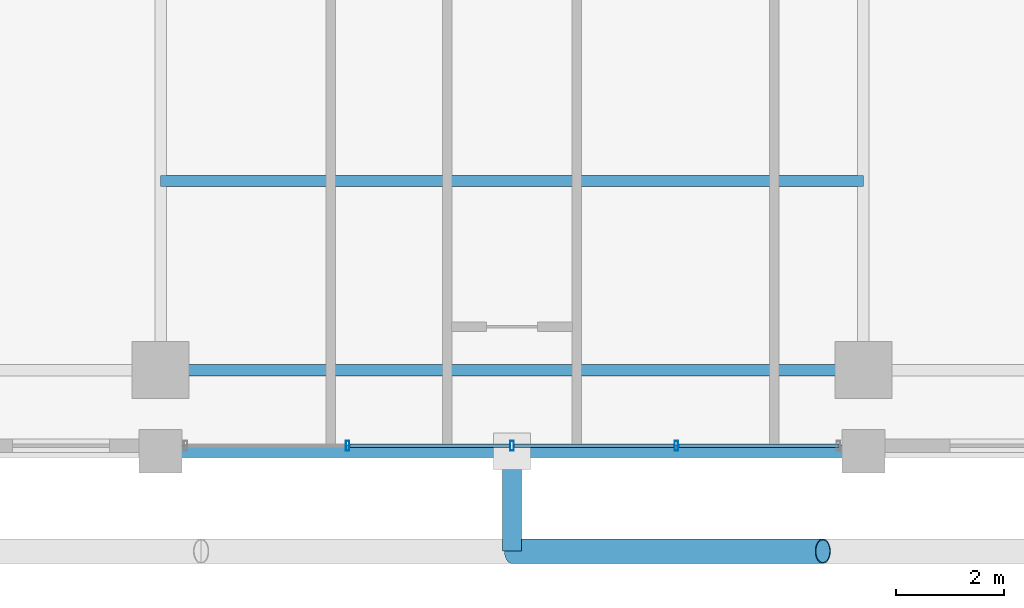
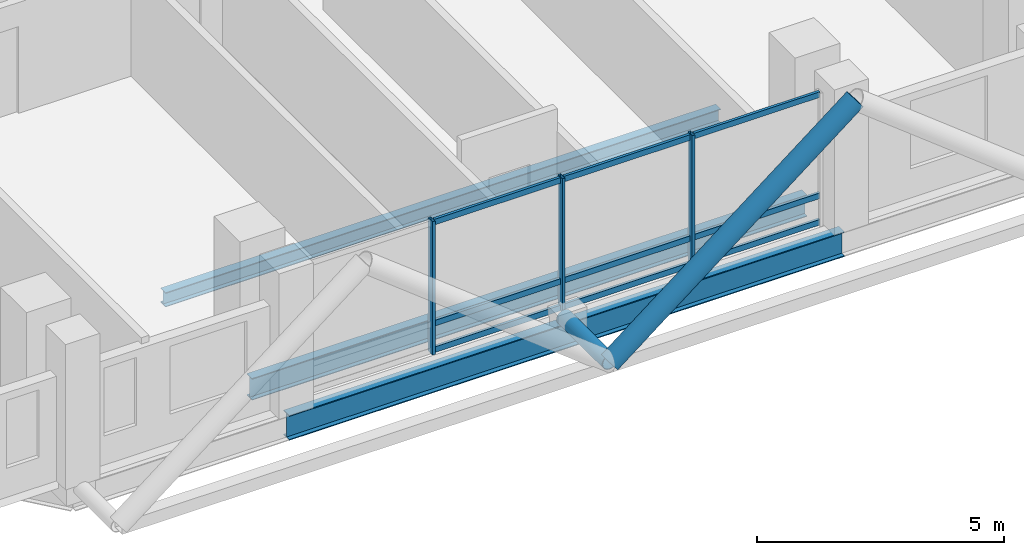
# One storey, part 4 of 25: 14 members, 3 beams, 1 element without a shape of its own.
"""IFC4 building model written with IfcOpenShell, lengths in metres."""

from ifc_helpers import new_model, si_unit, direction, frame, origin, origin_2d, place, context, subcontext, project, spatial, hollow_rectangle, hollow_circle, i_section, extrude, material, layer, layer_set, material_profile, profile_set, type_object, element, aggregate, save


model = new_model("IFC4")

# Units and contexts
model_context = context("Model", 3, precision=1e-05, world=origin(), true_north=direction((0.0, 1.0)))
body_context = subcontext(model_context, "Body", "Model", "MODEL_VIEW")
ifc_project = project(units=[si_unit("LENGTHUNIT", "METRE"), si_unit("AREAUNIT", "SQUARE_METRE"), si_unit("VOLUMEUNIT", "CUBIC_METRE"), si_unit("PLANEANGLEUNIT", "RADIAN"), si_unit("MASSUNIT", "GRAM", prefix="KILO")], contexts=[model_context])

# Site, building, storey
site_placement = place(None, origin())
site = spatial("IfcSite", under=ifc_project, at=site_placement, CompositionType="ELEMENT")
building_placement = place(site_placement, origin())
building = spatial("IfcBuilding", under=site, at=building_placement, Name="Barlavira Tower and Art Museum", CompositionType="ELEMENT")
storey_placement = place(building_placement, frame((0.0, 0.0, 208.800048828125)))
storey = spatial("IfcBuildingStorey", under=building, at=storey_placement, Name="L54", CompositionType="ELEMENT", Elevation=208.800048828125)

# Curtain wall, members
ifc_material_1 = material(Name="Low-iron coastal laminated glass", Category="glass")
ifc_layer = layer(ifc_material_1, 0.199951171875, Name="Low-iron coastal laminated glass")
ifc_layer_set = layer_set([ifc_layer], Name="Low-iron coastal laminated glass")
curtain_wall_type = type_object("IfcCurtainWallType", Name="Pale-Metal Unitised Curtain Wall Zone 3", PredefinedType="NOTDEFINED", material=ifc_layer_set)
curtain_wall_placement = place(storey_placement, origin())
curtain_wall = element("IfcCurtainWall", 1, at=curtain_wall_placement, inside=storey, type_object=curtain_wall_type, Name="L54 Curtain Wall CW3-L54-S-B3", PredefinedType="NOTDEFINED")
ifc_material_2 = material(Name="Pale anodised aluminium", Category="aluminium")
ifc_material_profile_1 = material_profile(ifc_material_2, hollow_rectangle(XDim=0.06494140625, YDim=0.179931640625, WallThickness=0.00390625, at=origin_2d()), Name="ALU-MULL 65x180x4")
ifc_profile_set_1 = profile_set([ifc_material_profile_1], Name="Pale anodised aluminium")
member_type_1 = type_object("IfcMemberType", Name="Curtain Wall Pale-Metal Mullion 65x180", PredefinedType="MULLION", material=ifc_profile_set_1)
member_1_placement = place(storey_placement, frame((-3.0400390625, -21.39990234375, 0.0), z_axis=(0.0, 0.0, 1.0), x_axis=(1.0, 0.0, 0.0)))
member_1 = element("IfcMember", 2, at=member_1_placement, type_object=member_type_1, Name="CW3-L54-S-B3 Mullion 1", PredefinedType="MULLION", context=body_context, shape_type="SweptSolid", body=[
    extrude(hollow_rectangle(XDim=0.06494140625, YDim=0.179931640625, WallThickness=0.00390625, at=origin_2d()), origin(), (0.0, 0.0, 1.0), 3.300048828125),
])
member_2_placement = place(storey_placement, frame((0.0, -21.39990234375, 0.0), z_axis=(0.0, 0.0, 1.0), x_axis=(1.0, 0.0, 0.0)))
member_2 = element("IfcMember", 3, at=member_2_placement, type_object=member_type_1, Name="CW3-L54-S-B3 Mullion 2", PredefinedType="MULLION", context=body_context, shape_type="SweptSolid", body=[
    extrude(hollow_rectangle(XDim=0.06494140625, YDim=0.179931640625, WallThickness=0.00390625, at=origin_2d()), origin(), (0.0, 0.0, 1.0), 3.300048828125),
])
member_3_placement = place(storey_placement, frame((3.0400390625, -21.39990234375, 0.0), z_axis=(0.0, 0.0, 1.0), x_axis=(1.0, 0.0, 0.0)))
member_3 = element("IfcMember", 4, at=member_3_placement, type_object=member_type_1, Name="CW3-L54-S-B3 Mullion 3", PredefinedType="MULLION", context=body_context, shape_type="SweptSolid", body=[
    extrude(hollow_rectangle(XDim=0.06494140625, YDim=0.179931640625, WallThickness=0.00390625, at=origin_2d()), origin(), (0.0, 0.0, 1.0), 3.300048828125),
])
ifc_material_profile_2 = material_profile(ifc_material_2, hollow_rectangle(XDim=0.06494140625, YDim=0.139892578125, WallThickness=0.00390625, at=origin_2d()), Name="ALU-TRAN 65x140x4")
ifc_profile_set_2 = profile_set([ifc_material_profile_2], Name="Pale anodised aluminium")
member_type_2 = type_object("IfcMemberType", Name="Curtain Wall Pale-Metal Transom 65x140", PredefinedType="USERDEFINED", material=ifc_profile_set_2)
member_4_placement = place(storey_placement, frame((-2.9951171875, -21.39990234375, 0.070068359375), z_axis=(1.0, 0.0, 0.0), x_axis=(0.0, 1.0, 0.0)))
member_4 = element("IfcMember", 5, at=member_4_placement, type_object=member_type_2, Name="CW3-L54-S-B3 Transom 1.1", ObjectType="TRANSOM", PredefinedType="USERDEFINED", context=body_context, shape_type="SweptSolid", body=[
    extrude(hollow_rectangle(XDim=0.06494140625, YDim=0.139892578125, WallThickness=0.00390625, at=origin_2d()), origin(), (0.0, 0.0, 1.0), 2.9501953125),
])
member_5_placement = place(storey_placement, frame((-2.9951171875, -21.39990234375, 0.725830078125), z_axis=(1.0, 0.0, 0.0), x_axis=(0.0, 1.0, 0.0)))
member_5 = element("IfcMember", 6, at=member_5_placement, type_object=member_type_2, Name="CW3-L54-S-B3 Transom 1.2", ObjectType="TRANSOM", PredefinedType="USERDEFINED", context=body_context, shape_type="SweptSolid", body=[
    extrude(hollow_rectangle(XDim=0.06494140625, YDim=0.139892578125, WallThickness=0.00390625, at=origin_2d()), origin(), (0.0, 0.0, 1.0), 2.9501953125),
])
member_6_placement = place(storey_placement, frame((-2.9951171875, -21.39990234375, 3.22998046875), z_axis=(1.0, 0.0, 0.0), x_axis=(0.0, 1.0, 0.0)))
member_6 = element("IfcMember", 7, at=member_6_placement, type_object=member_type_2, Name="CW3-L54-S-B3 Transom 1.3", ObjectType="TRANSOM", PredefinedType="USERDEFINED", context=body_context, shape_type="SweptSolid", body=[
    extrude(hollow_rectangle(XDim=0.06494140625, YDim=0.139892578125, WallThickness=0.00390625, at=origin_2d()), origin(), (0.0, 0.0, 1.0), 2.9501953125),
])
member_7_placement = place(storey_placement, frame((0.044921875, -21.39990234375, 0.070068359375), z_axis=(1.0, 0.0, 0.0), x_axis=(0.0, 1.0, 0.0)))
member_7 = element("IfcMember", 8, at=member_7_placement, type_object=member_type_2, Name="CW3-L54-S-B3 Transom 2.1", ObjectType="TRANSOM", PredefinedType="USERDEFINED", context=body_context, shape_type="SweptSolid", body=[
    extrude(hollow_rectangle(XDim=0.06494140625, YDim=0.139892578125, WallThickness=0.00390625, at=origin_2d()), origin(), (0.0, 0.0, 1.0), 2.9501953125),
])
member_8_placement = place(storey_placement, frame((0.044921875, -21.39990234375, 0.725830078125), z_axis=(1.0, 0.0, 0.0), x_axis=(0.0, 1.0, 0.0)))
member_8 = element("IfcMember", 9, at=member_8_placement, type_object=member_type_2, Name="CW3-L54-S-B3 Transom 2.2", ObjectType="TRANSOM", PredefinedType="USERDEFINED", context=body_context, shape_type="SweptSolid", body=[
    extrude(hollow_rectangle(XDim=0.06494140625, YDim=0.139892578125, WallThickness=0.00390625, at=origin_2d()), origin(), (0.0, 0.0, 1.0), 2.9501953125),
])
member_9_placement = place(storey_placement, frame((0.044921875, -21.39990234375, 3.22998046875), z_axis=(1.0, 0.0, 0.0), x_axis=(0.0, 1.0, 0.0)))
member_9 = element("IfcMember", 10, at=member_9_placement, type_object=member_type_2, Name="CW3-L54-S-B3 Transom 2.3", ObjectType="TRANSOM", PredefinedType="USERDEFINED", context=body_context, shape_type="SweptSolid", body=[
    extrude(hollow_rectangle(XDim=0.06494140625, YDim=0.139892578125, WallThickness=0.00390625, at=origin_2d()), origin(), (0.0, 0.0, 1.0), 2.9501953125),
])
member_10_placement = place(storey_placement, frame((3.0849609375, -21.39990234375, 0.070068359375), z_axis=(1.0, 0.0, 0.0), x_axis=(0.0, 1.0, 0.0)))
member_10 = element("IfcMember", 11, at=member_10_placement, type_object=member_type_2, Name="CW3-L54-S-B3 Transom 3.1", ObjectType="TRANSOM", PredefinedType="USERDEFINED", context=body_context, shape_type="SweptSolid", body=[
    extrude(hollow_rectangle(XDim=0.06494140625, YDim=0.139892578125, WallThickness=0.00390625, at=origin_2d()), origin(), (0.0, 0.0, 1.0), 2.949951171875),
])
member_11_placement = place(storey_placement, frame((3.0849609375, -21.39990234375, 0.725830078125), z_axis=(1.0, 0.0, 0.0), x_axis=(0.0, 1.0, 0.0)))
member_11 = element("IfcMember", 12, at=member_11_placement, type_object=member_type_2, Name="CW3-L54-S-B3 Transom 3.2", ObjectType="TRANSOM", PredefinedType="USERDEFINED", context=body_context, shape_type="SweptSolid", body=[
    extrude(hollow_rectangle(XDim=0.06494140625, YDim=0.139892578125, WallThickness=0.00390625, at=origin_2d()), origin(), (0.0, 0.0, 1.0), 2.949951171875),
])
member_12_placement = place(storey_placement, frame((3.0849609375, -21.39990234375, 3.22998046875), z_axis=(1.0, 0.0, 0.0), x_axis=(0.0, 1.0, 0.0)))
member_12 = element("IfcMember", 13, at=member_12_placement, type_object=member_type_2, Name="CW3-L54-S-B3 Transom 3.3", ObjectType="TRANSOM", PredefinedType="USERDEFINED", context=body_context, shape_type="SweptSolid", body=[
    extrude(hollow_rectangle(XDim=0.06494140625, YDim=0.139892578125, WallThickness=0.00390625, at=origin_2d()), origin(), (0.0, 0.0, 1.0), 2.949951171875),
])
aggregate(curtain_wall, [member_1, member_2, member_3, member_4, member_5, member_6, member_7, member_8, member_9, member_10, member_11, member_12])

# Members
ifc_material_3 = material(Name="Steel S355", Category="steel")
ifc_material_profile_3 = material_profile(ifc_material_3, hollow_circle(Radius=0.228515625, WallThickness=0.02001953125, at=origin_2d()), Name="CHS 457.0x20.0")
ifc_profile_set_3 = profile_set([ifc_material_profile_3], Name="Steel S355")
member_type_3 = type_object("IfcMemberType", Name="Pale-Metal Exoskeleton Diagrid Tube CHS 457x20 Steel S355", PredefinedType="BRACE", material=ifc_profile_set_3)
member_13_placement = place(storey_placement, frame((0.0, -23.35009765625, -0.1201171875), z_axis=(0.787505001008, 0.0, 0.616308261658), x_axis=(0.0, 1.0, 0.0)))
element("IfcMember", 14, at=member_13_placement, inside=storey, type_object=member_type_3, Name="L54 Exoskeleton Diagrid Tube S", PredefinedType="BRACE", context=body_context, shape_type="SweptSolid", body=[
    extrude(hollow_circle(Radius=0.228515625, WallThickness=0.02001953125, at=origin_2d()), origin(), (0.0, 0.0, 1.0), 7.301513671875),
])
ifc_material_profile_4 = material_profile(ifc_material_3, hollow_circle(Radius=0.177734375, WallThickness=0.01611328125, at=origin_2d()), Name="CHS 355.6x16.0")
ifc_profile_set_4 = profile_set([ifc_material_profile_4], Name="Steel S355")
member_type_4 = type_object("IfcMemberType", Name="Pale-Metal Exoskeleton Tie Strut CHS 356x16 Steel S355", PredefinedType="STRUT", material=ifc_profile_set_4)
member_14_placement = place(storey_placement, frame((0.0, -23.35009765625, -0.1201171875), z_axis=(0.0, 1.0, 0.0), x_axis=(-1.0, 0.0, 0.0)))
element("IfcMember", 15, at=member_14_placement, inside=storey, type_object=member_type_4, Name="L54 Exoskeleton Tie Strut S2", PredefinedType="STRUT", context=body_context, shape_type="SweptSolid", body=[
    extrude(hollow_circle(Radius=0.177734375, WallThickness=0.01611328125, at=origin_2d()), origin(), (0.0, 0.0, 1.0), 1.85009765625),
])

# Beams
ifc_material_profile_5 = material_profile(ifc_material_3, i_section(OverallWidth=0.22998046875, OverallDepth=0.616943359375, WebThickness=0.01318359375, FlangeThickness=0.022216796875, at=origin_2d()), Name="W610x140.0")
ifc_profile_set_5 = profile_set([ifc_material_profile_5], Name="Steel S355")
beam_type_1 = type_object("IfcBeamType", Name="Upper Shaft Spandrel Edge Beam W610x140 Steel S355", PredefinedType="SPANDREL", material=ifc_profile_set_5)
beam_1_placement = place(storey_placement, frame((-6.5, -21.5, -0.528564453125), z_axis=(1.0, 0.0, 0.0), x_axis=(0.0, 1.0, 0.0)))
element("IfcBeam", 16, at=beam_1_placement, inside=storey, type_object=beam_type_1, Name="L54 Spandrel 2", PredefinedType="SPANDREL", context=body_context, shape_type="SweptSolid", body=[
    extrude(i_section(OverallWidth=0.22998046875, OverallDepth=0.616943359375, WebThickness=0.01318359375, FlangeThickness=0.022216796875, at=origin_2d()), origin(), (0.0, 0.0, 1.0), 13.0),
])
ifc_material_profile_6 = material_profile(ifc_material_3, i_section(OverallWidth=0.205078125, OverallDepth=0.35400390625, WebThickness=0.009521484375, FlangeThickness=0.016845703125, at=origin_2d()), Name="W360x79.0")
ifc_profile_set_6 = profile_set([ifc_material_profile_6], Name="Steel S355")
beam_type_2 = type_object("IfcBeamType", Name="Zone 3 Composite Floor Joist W360x79 Steel S355", PredefinedType="JOIST", material=ifc_profile_set_6)
beam_2_placement = place(storey_placement, frame((-6.5, -16.5, -0.39697265625), z_axis=(1.0, 0.0, 0.0), x_axis=(0.0, 1.0, 0.0)))
element("IfcBeam", 17, at=beam_2_placement, inside=storey, type_object=beam_type_2, Name="L54 Joist C1", PredefinedType="JOIST", context=body_context, shape_type="SweptSolid", body=[
    extrude(i_section(OverallWidth=0.205078125, OverallDepth=0.35400390625, WebThickness=0.009521484375, FlangeThickness=0.016845703125, at=origin_2d()), origin(), (0.0, 0.0, 1.0), 13.0),
])
ifc_material_profile_7 = material_profile(ifc_material_3, i_section(OverallWidth=0.2109375, OverallDepth=0.5390625, WebThickness=0.01171875, FlangeThickness=0.018798828125, at=origin_2d()), Name="W530x109.0")
ifc_profile_set_7 = profile_set([ifc_material_profile_7], Name="Steel S355")
beam_type_3 = type_object("IfcBeamType", Name="Zone 3-4 Primary Floor Girder W530x109 Steel S355", PredefinedType="BEAM", material=ifc_profile_set_7)
beam_3_placement = place(storey_placement, frame((-6.5, -20.0, -0.489501953125), z_axis=(1.0, 0.0, 0.0), x_axis=(0.0, 1.0, 0.0)))
element("IfcBeam", 18, at=beam_3_placement, inside=storey, type_object=beam_type_3, Name="L54 Girder M-S2", PredefinedType="BEAM", context=body_context, shape_type="SweptSolid", body=[
    extrude(i_section(OverallWidth=0.2109375, OverallDepth=0.5390625, WebThickness=0.01171875, FlangeThickness=0.018798828125, at=origin_2d()), origin(), (0.0, 0.0, 1.0), 13.0),
])

save(model, "model.ifc")
